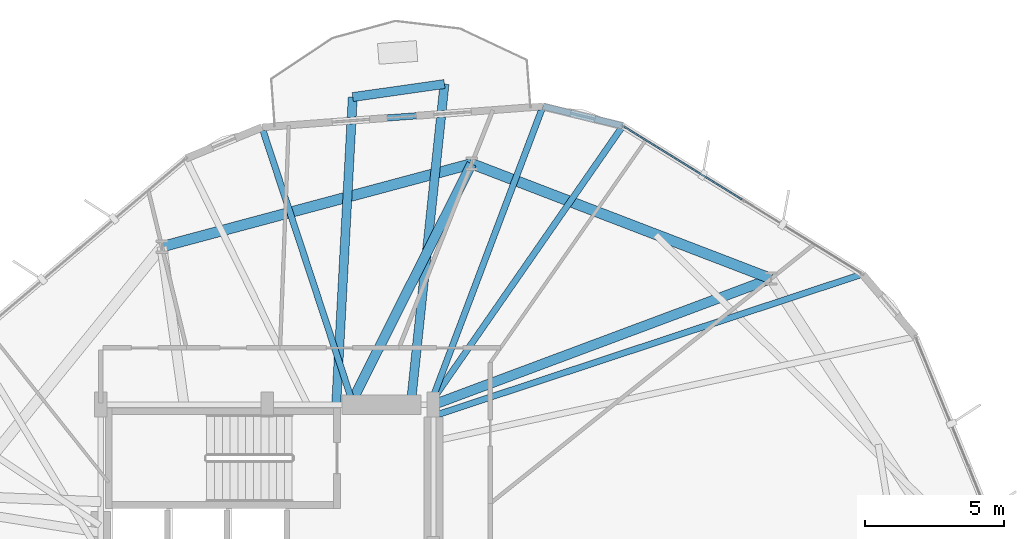
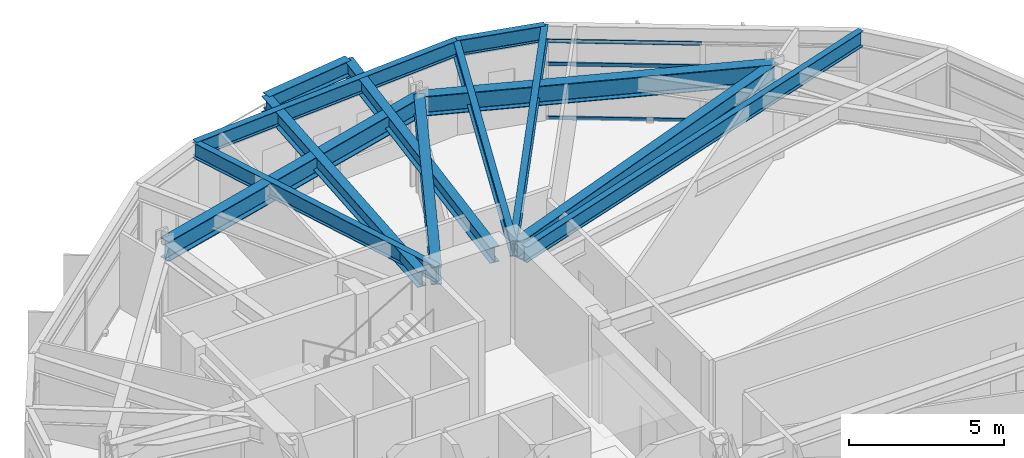
# One storey, part 13 of 22: 13 beams, 3 members, 1 element without a shape of its own.
"""IFC4 building model written with IfcOpenShell, lengths in metres."""

import ifcopenshell
import ifcopenshell.guid

model = None  # the IFC model being written
_history = None  # IfcOwnerHistory: only IFC2X3 demands one
_inside = {}  # id of a spatial element -> (the spatial element, [elements in it])
_under = {}  # id of a project, library or spatial element -> (it, [spatial elements below it])
_declared = {}  # id of a project -> (the project, [libraries it declares])
_typed = {}  # id of a type object -> (the type object, [elements of that type])
_made_of = {}  # id of a material, layer set ... -> (it, [elements and type objects made of it])


def new_model(schema):
    """Start an empty IFC model of exactly this schema.

    Asked for "IFC4X3", IfcOpenShell would pick the latest addendum, in which some entities
    have other attributes; the version numbers below select the first issue.
    IFC2X3 requires an IfcOwnerHistory on every rooted entity: one is made here for all.
    """
    global model, _history
    if schema == "IFC4X3":
        model = ifcopenshell.file(schema_version=(4, 3, 0, 0))
    else:
        model = ifcopenshell.file(schema=schema)
    _inside.clear()
    _under.clear()
    _declared.clear()
    _typed.clear()
    _made_of.clear()
    _history = None
    if model.schema == "IFC2X3":
        org = make("IfcOrganization", Name="unknown")
        user = make(
            "IfcPersonAndOrganization",
            ThePerson=make("IfcPerson", FamilyName="unknown"),
            TheOrganization=org,
        )
        app = make(
            "IfcApplication",
            ApplicationDeveloper=org,
            Version="unknown",
            ApplicationFullName="unknown",
            ApplicationIdentifier="unknown",
        )
        _history = make(
            "IfcOwnerHistory",
            OwningUser=user,
            OwningApplication=app,
            ChangeAction="ADDED",
            CreationDate=0,
        )
    return model


def make(cls, **values):
    """One entity of the class cls with the attributes given. An attribute that is None is left unset."""
    return model.create_entity(
        cls, **{name: value for name, value in values.items() if value is not None}
    )


def rooted(cls, **values):
    """An entity with a GlobalId (a new one), such as an element, a storey or a relation."""
    return make(cls, GlobalId=ifcopenshell.guid.new(), OwnerHistory=_history, **values)


def si_unit(unit_type, name, prefix=None):
    """IfcSIUnit, for example si_unit("LENGTHUNIT", "METRE", prefix="MILLI")."""
    return make("IfcSIUnit", UnitType=unit_type, Prefix=prefix, Name=name)


def assignment(units):
    """IfcUnitAssignment: the units of a project."""
    return None if units is None else make("IfcUnitAssignment", Units=units)


def point(xyz):
    """IfcCartesianPoint."""
    return None if xyz is None else make("IfcCartesianPoint", Coordinates=xyz)


def direction(xyz):
    """IfcDirection."""
    return None if xyz is None else make("IfcDirection", DirectionRatios=xyz)


def frame(location, z_axis=None, x_axis=None):
    """IfcAxis2Placement3D, a coordinate frame: its origin and axes. An axis left out is left unset."""
    return make(
        "IfcAxis2Placement3D",
        Location=point(location),
        Axis=direction(z_axis),
        RefDirection=direction(x_axis),
    )


def frame_2d(location, x_axis=None):
    """IfcAxis2Placement2D, a coordinate frame in the plane: its origin and x axis."""
    return make(
        "IfcAxis2Placement2D", Location=point(location), RefDirection=direction(x_axis)
    )


def origin():
    """The frame at (0, 0, 0) with its axes left unset."""
    return frame((0.0, 0.0, 0.0))


def origin_2d():
    """The frame at (0, 0) in the plane with its x axis left unset."""
    return frame_2d((0.0, 0.0))


def place(relative_to, where):
    """IfcLocalPlacement: puts the frame where relative to a parent placement (None: the world)."""
    return make(
        "IfcLocalPlacement", PlacementRelTo=relative_to, RelativePlacement=where
    )


def context(
    kind, dimensions, precision=None, world=None, true_north=None, identifier=None
):
    """IfcGeometricRepresentationContext, for example the 3D "Model" context."""
    return make(
        "IfcGeometricRepresentationContext",
        ContextIdentifier=identifier,
        ContextType=kind,
        CoordinateSpaceDimension=dimensions,
        Precision=precision,
        WorldCoordinateSystem=world,
        TrueNorth=true_north,
    )


def subcontext(parent, identifier, kind, view, scale=None):
    """IfcGeometricRepresentationSubContext, for example "Body" below "Model"."""
    return make(
        "IfcGeometricRepresentationSubContext",
        ContextIdentifier=identifier,
        ContextType=kind,
        ParentContext=parent,
        TargetScale=scale,
        TargetView=view,
    )


def project(units=None, contexts=None):
    """IfcProject with its units and contexts."""
    return rooted(
        "IfcProject",
        Name="project",
        RepresentationContexts=contexts,
        UnitsInContext=assignment(units),
    )


def spatial(cls, under=None, at=None, **own):
    """A site, building, storey or space (cls), placed at a placement, below another one or the project."""
    s = rooted(cls, ObjectPlacement=at, **own)
    if under is not None:
        _under.setdefault(under.id(), (under, []))[1].append(s)
    return s


def profile(cls, at=None, kind="AREA", **sizes):
    """A parametric profile (cls). Its sizes go by their IFC names, for example OverallWidth=200.0."""
    return make(cls, ProfileType=kind, Position=at, **sizes)


def hollow_rectangle(**sizes):
    """IfcRectangleHollowProfileDef."""
    return profile("IfcRectangleHollowProfileDef", **sizes)


def i_section(**sizes):
    """IfcIShapeProfileDef."""
    return profile("IfcIShapeProfileDef", **sizes)


def extrude(swept, where, along, depth):
    """IfcExtrudedAreaSolid: the profile swept, set in the frame where, extruded along a direction by depth."""
    return make(
        "IfcExtrudedAreaSolid",
        SweptArea=swept,
        Position=where,
        ExtrudedDirection=direction(along),
        Depth=depth,
    )


def shape(context_of_items, identifier, shape_type, items):
    """IfcShapeRepresentation: the items that make up one representation, for example the "Body"."""
    return make(
        "IfcShapeRepresentation",
        ContextOfItems=context_of_items,
        RepresentationIdentifier=identifier,
        RepresentationType=shape_type,
        Items=items,
    )


def material(Name=None, Category=None):
    """IfcMaterial."""
    return make("IfcMaterial", Name=Name, Category=Category)


def layer(
    of_material, thickness, ventilated=None, Name=None, Category=None, Priority=None
):
    """IfcMaterialLayer: one layer of a wall or slab, of a material (None: an air gap)."""
    return make(
        "IfcMaterialLayer",
        Material=of_material,
        LayerThickness=thickness,
        IsVentilated=ventilated,
        Name=Name,
        Category=Category,
        Priority=Priority,
    )


def layer_set(layers, Name=None):
    """IfcMaterialLayerSet."""
    return make("IfcMaterialLayerSet", MaterialLayers=layers, LayerSetName=Name)


def material_profile(
    of_material, cross_section, Name=None, Category=None, Priority=None
):
    """IfcMaterialProfile: a cross section and its material."""
    return make(
        "IfcMaterialProfile",
        Name=Name,
        Material=of_material,
        Profile=cross_section,
        Priority=Priority,
        Category=Category,
    )


def profile_set(profiles, Name=None, composite=None):
    """IfcMaterialProfileSet."""
    return make(
        "IfcMaterialProfileSet",
        Name=Name,
        MaterialProfiles=profiles,
        CompositeProfile=composite,
    )


def made_of(thing, what):
    """Note that an element or type object is made of a material, layer set ...; save() writes the relation."""
    if what is not None:
        _made_of.setdefault(what.id(), (what, []))[1].append(thing)
    return thing


def type_object(cls, material=None, **own):
    """A type object (cls), such as IfcWallType, which elements share."""
    return made_of(rooted(cls, **own), material)


def element(
    cls,
    number,
    at=None,
    inside=None,
    cuts=None,
    type_object=None,
    material=None,
    context=None,
    identifier="Body",
    shape_type=None,
    held_by="IfcProductDefinitionShape",
    body=None,
    shapes=None,
    **own,
):
    """One element of the class cls, such as IfcWall. Its Tag is "e" and its number.

    at: its placement. inside: the storey or other place that contains it. cuts: it is an
    opening in that element (IfcRelVoidsElement). A single representation is given by context,
    identifier, shape_type and body (its items); several are given by shapes. held_by: the class
    of the entity that holds the representations. save() writes the other relations.
    """
    e = rooted(cls, Tag="e%d" % number, ObjectPlacement=at, **own)
    if body is not None:
        shapes = [shape(context, identifier, shape_type, body)]
    if shapes is not None:
        e.Representation = make(held_by, Representations=shapes)
    if inside is not None:
        _inside.setdefault(inside.id(), (inside, []))[1].append(e)
    if cuts is not None:
        rooted(
            "IfcRelVoidsElement", RelatingBuildingElement=cuts, RelatedOpeningElement=e
        )
    if type_object is not None:
        _typed.setdefault(type_object.id(), (type_object, []))[1].append(e)
    return made_of(e, material)


def aggregate(whole, parts):
    """IfcRelAggregates: a whole, such as a stair, and the parts it consists of."""
    return rooted("IfcRelAggregates", RelatingObject=whole, RelatedObjects=parts)


def save(model, path):
    """Write the relations noted so far, then the file.

    IfcRelAggregates (storeys below a building ...), IfcRelContainedInSpatialStructure (elements
    in a storey), IfcRelDefinesByType, IfcRelAssociatesMaterial and IfcRelDeclares: one each for
    every whole, place, type object, material and project.
    """
    for whole, parts in _under.values():
        aggregate(whole, parts)
    for where, things in _inside.values():
        rooted(
            "IfcRelContainedInSpatialStructure",
            RelatedElements=things,
            RelatingStructure=where,
        )
    for kind, things in _typed.values():
        rooted("IfcRelDefinesByType", RelatedObjects=things, RelatingType=kind)
    for what, things in _made_of.values():
        rooted("IfcRelAssociatesMaterial", RelatedObjects=things, RelatingMaterial=what)
    for by, libraries in _declared.values():
        rooted("IfcRelDeclares", RelatingContext=by, RelatedDefinitions=libraries)
    model.write(path)


model = new_model("IFC4")

# Units and contexts
model_context = context("Model", 3, precision=1e-05, world=origin(), true_north=direction((0.0, 1.0)))
body_context = subcontext(model_context, "Body", "Model", "MODEL_VIEW")
ifc_project = project(units=[si_unit("LENGTHUNIT", "METRE"), si_unit("AREAUNIT", "SQUARE_METRE"), si_unit("VOLUMEUNIT", "CUBIC_METRE"), si_unit("PLANEANGLEUNIT", "RADIAN"), si_unit("MASSUNIT", "GRAM", prefix="KILO")], contexts=[model_context])

# Site, building, storey
site_placement = place(None, origin())
site = spatial("IfcSite", under=ifc_project, at=site_placement, CompositionType="ELEMENT")
building_placement = place(site_placement, origin())
building = spatial("IfcBuilding", under=site, at=building_placement, Name="Soratama Intermodal Tower", CompositionType="ELEMENT")
storey_placement = place(building_placement, frame((0.0, 0.0, 46.60009765625)))
storey = spatial("IfcBuildingStorey", under=building, at=storey_placement, Name="L10", CompositionType="ELEMENT", Elevation=46.60009765625)

# Beams
ifc_material_1 = material(Name="Structural steel ASTM A992 Grade 50", Category="steel")
ifc_material_profile_1 = material_profile(ifc_material_1, i_section(OverallWidth=0.324951171875, OverallDepth=0.615966796875, WebThickness=0.013916015625, FlangeThickness=0.021484375, FilletRadius=0.013916015625, at=origin_2d()), Name="W24X117")
ifc_profile_set_1 = profile_set([ifc_material_profile_1], Name="Structural steel ASTM A992 Grade 50")
beam_type_1 = type_object("IfcBeamType", Name="BM-CANT-W24X117", PredefinedType="BEAM", material=ifc_profile_set_1)
beam_1_placement = place(storey_placement, frame((44.998046875, 46.570068359375, 3.391845703125), z_axis=(-0.990064576581, -0.140613421124, 0.0), x_axis=(0.140613421124, -0.990064576581, 0.0)))
element("IfcBeam", 1, at=beam_1_placement, inside=storey, type_object=beam_type_1, Name="BM-L10-CBHDR-2", PredefinedType="BEAM", context=body_context, shape_type="SweptSolid", body=[
    extrude(i_section(OverallWidth=0.324951171875, OverallDepth=0.615966796875, WebThickness=0.013916015625, FlangeThickness=0.021484375, FilletRadius=0.013916015625, at=origin_2d()), origin(), (0.0, 0.0, 1.0), 3.34228515625),
])
beam_2_placement = place(storey_placement, frame((43.787109375, 35.0400390625, 3.391845703125), z_axis=(0.104450195605, 0.994530118517, 0.0), x_axis=(-0.994530118517, 0.104450195605, 0.0)))
element("IfcBeam", 2, at=beam_2_placement, inside=storey, type_object=beam_type_1, Name="BM-L10-CANT-2-1", PredefinedType="BEAM", context=body_context, shape_type="SweptSolid", body=[
    extrude(i_section(OverallWidth=0.324951171875, OverallDepth=0.615966796875, WebThickness=0.013916015625, FlangeThickness=0.021484375, FilletRadius=0.013916015625, at=origin_2d()), origin(), (0.0, 0.0, 1.0), 11.593505859375),
])
beam_3_placement = place(storey_placement, frame((41.093017578125, 35.0400390625, 3.391845703125), z_axis=(0.053804780083, 0.998551473706, 0.0), x_axis=(-0.998551473706, 0.053804780083, 0.0)))
element("IfcBeam", 3, at=beam_3_placement, inside=storey, type_object=beam_type_1, Name="BM-L10-CANT-2-2", PredefinedType="BEAM", context=body_context, shape_type="SweptSolid", body=[
    extrude(i_section(OverallWidth=0.324951171875, OverallDepth=0.615966796875, WebThickness=0.013916015625, FlangeThickness=0.021484375, FilletRadius=0.013916015625, at=origin_2d()), origin(), (0.0, 0.0, 1.0), 11.076171875),
])
ifc_material_2 = material(Name="Structural steel ASTM A992 Grade 50", Category="steel")
ifc_material_profile_2 = material_profile(ifc_material_2, i_section(OverallWidth=0.35498046875, OverallDepth=0.695068359375, WebThickness=0.015380859375, FlangeThickness=0.02490234375, FilletRadius=0.01611328125, at=origin_2d()), Name="W27X146")
ifc_profile_set_2 = profile_set([ifc_material_profile_2], Name="Structural steel ASTM A992 Grade 50")
beam_type_2 = type_object("IfcBeamType", Name="BM-RING-W27X146", PredefinedType="BEAM", material=ifc_profile_set_2)
beam_4_placement = place(storey_placement, frame((44.60009765625, 35.0, 3.352294921875), z_axis=(0.936827486358, 0.349791739189, 0.0), x_axis=(-0.349791739189, 0.936827486358, 0.0)))
element("IfcBeam", 4, at=beam_4_placement, inside=storey, type_object=beam_type_2, Name="BM-L10-RAD-02", PredefinedType="BEAM", context=body_context, shape_type="SweptSolid", body=[
    extrude(i_section(OverallWidth=0.35498046875, OverallDepth=0.695068359375, WebThickness=0.015380859375, FlangeThickness=0.02490234375, FilletRadius=0.01611328125, at=origin_2d()), origin(), (0.0, 0.0, 1.0), 13.002197265625),
])
beam_5_placement = place(storey_placement, frame((41.60009765625, 35.0, 3.352294921875), z_axis=(0.449910017166, 0.893073891934, 0.0), x_axis=(-0.893073891934, 0.449910017166, 0.0)))
element("IfcBeam", 5, at=beam_5_placement, inside=storey, type_object=beam_type_2, Name="BM-L10-RAD-03", PredefinedType="BEAM", context=body_context, shape_type="SweptSolid", body=[
    extrude(i_section(OverallWidth=0.35498046875, OverallDepth=0.695068359375, WebThickness=0.015380859375, FlangeThickness=0.02490234375, FilletRadius=0.01611328125, at=origin_2d()), origin(), (0.0, 0.0, 1.0), 9.735107421875),
])
ifc_material_3 = material(Name="Structural steel ASTM A992 Grade 50", Category="steel")
ifc_material_profile_3 = material_profile(ifc_material_3, i_section(OverallWidth=0.382080078125, OverallDepth=0.779052734375, WebThickness=0.01806640625, FlangeThickness=0.030029296875, FilletRadius=0.01806640625, at=origin_2d()), Name="W30X191")
ifc_profile_set_3 = profile_set([ifc_material_profile_3], Name="Structural steel ASTM A992 Grade 50")
beam_type_3 = type_object("IfcBeamType", Name="BM-RING-W30X191", PredefinedType="BEAM", material=ifc_profile_set_3)
beam_6_placement = place(storey_placement, frame((56.781005859375, 39.548095703125, 3.310302734375), z_axis=(-0.933584159632, 0.358358224246, 0.0), x_axis=(-0.358358224246, -0.933584159632, 0.0)))
element("IfcBeam", 6, at=beam_6_placement, inside=storey, type_object=beam_type_3, Name="BM-L10-RING-02", PredefinedType="BEAM", context=body_context, shape_type="SweptSolid", body=[
    extrude(i_section(OverallWidth=0.382080078125, OverallDepth=0.779052734375, WebThickness=0.01806640625, FlangeThickness=0.030029296875, FilletRadius=0.01806640625, at=origin_2d()), origin(), (0.0, 0.0, 1.0), 11.5693359375),
])
beam_7_placement = place(storey_placement, frame((45.97998046875, 43.694091796875, 3.310302734375), z_axis=(-0.965935902196, -0.258781438376, 0.0), x_axis=(0.258781438376, -0.965935902196, 0.0)))
element("IfcBeam", 7, at=beam_7_placement, inside=storey, type_object=beam_type_3, Name="BM-L10-RING-03", PredefinedType="BEAM", context=body_context, shape_type="SweptSolid", body=[
    extrude(i_section(OverallWidth=0.382080078125, OverallDepth=0.779052734375, WebThickness=0.01806640625, FlangeThickness=0.030029296875, FilletRadius=0.01806640625, at=origin_2d()), origin(), (0.0, 0.0, 1.0), 11.570068359375),
])
ifc_material_4 = material(Name="Structural steel ASTM A992 Grade 50", Category="steel")
ifc_material_profile_4 = material_profile(ifc_material_4, i_section(OverallWidth=0.22900390625, OverallDepth=0.612060546875, WebThickness=0.011962890625, FlangeThickness=0.01953125, FilletRadius=0.012939453125, at=origin_2d()), Name="W24X84")
ifc_profile_set_4 = profile_set([ifc_material_profile_4], Name="Structural steel ASTM A992 Grade 50")
beam_type_4 = type_object("IfcBeamType", Name="BM-SPN-W24X84", PredefinedType="SPANDREL", material=ifc_profile_set_4)
beam_8_placement = place(storey_placement, frame((51.431884765625, 45.05908203125, 3.393798828125), z_axis=(-0.971369050181, 0.237575605547, 0.0), x_axis=(-0.237575605547, -0.971369050181, 0.0)))
element("IfcBeam", 8, at=beam_8_placement, inside=storey, type_object=beam_type_4, Name="BS-L10-CRN02", PredefinedType="SPANDREL", context=body_context, shape_type="SweptSolid", body=[
    extrude(i_section(OverallWidth=0.22900390625, OverallDepth=0.612060546875, WebThickness=0.011962890625, FlangeThickness=0.01953125, FilletRadius=0.012939453125, at=origin_2d()), origin(), (0.0, 0.0, 1.0), 2.966796875),
])
beam_9_placement = place(storey_placement, frame((48.550048828125, 45.763916015625, 3.393798828125), z_axis=(-0.997238712388, -0.074262712813, 0.0), x_axis=(0.074262712813, -0.997238712388, 0.0)))
element("IfcBeam", 9, at=beam_9_placement, inside=storey, type_object=beam_type_4, Name="BS-L10-F03", PredefinedType="SPANDREL", context=body_context, shape_type="SweptSolid", body=[
    extrude(i_section(OverallWidth=0.22900390625, OverallDepth=0.612060546875, WebThickness=0.011962890625, FlangeThickness=0.01953125, FilletRadius=0.012939453125, at=origin_2d()), origin(), (0.0, 0.0, 1.0), 10.1650390625),
])
ifc_material_5 = material(Name="Structural steel ASTM A992 Grade 50", Category="steel")
ifc_material_profile_5 = material_profile(ifc_material_5, i_section(OverallWidth=0.22900390625, OverallDepth=0.612060546875, WebThickness=0.011962890625, FlangeThickness=0.01953125, FilletRadius=0.012939453125, at=origin_2d()), Name="W24X84")
ifc_profile_set_5 = profile_set([ifc_material_profile_5], Name="Structural steel ASTM A992 Grade 50")
beam_type_5 = type_object("IfcBeamType", Name="BM-TIE-W24X84", PredefinedType="BEAM", material=ifc_profile_set_5)
beam_10_placement = place(storey_placement, frame((44.637939453125, 34.60595703125, 3.393798828125), z_axis=(0.949425338533, 0.313992876594, 0.0), x_axis=(-0.313992876594, 0.949425338533, 0.0)))
element("IfcBeam", 10, at=beam_10_placement, inside=storey, type_object=beam_type_5, Name="BM-L10-TIE0-02", PredefinedType="BEAM", context=body_context, shape_type="SweptSolid", body=[
    extrude(i_section(OverallWidth=0.22900390625, OverallDepth=0.612060546875, WebThickness=0.011962890625, FlangeThickness=0.01953125, FilletRadius=0.012939453125, at=origin_2d()), origin(), (0.0, 0.0, 1.0), 16.261474609375),
])
beam_11_placement = place(storey_placement, frame((44.468994140625, 35.032958984375, 3.393798828125), z_axis=(0.570412675965, 0.82135825259, 0.0), x_axis=(-0.82135825259, 0.570412675965, 0.0)))
element("IfcBeam", 11, at=beam_11_placement, inside=storey, type_object=beam_type_5, Name="BM-L10-TIE1-02", PredefinedType="BEAM", context=body_context, shape_type="SweptSolid", body=[
    extrude(i_section(OverallWidth=0.22900390625, OverallDepth=0.612060546875, WebThickness=0.011962890625, FlangeThickness=0.01953125, FilletRadius=0.012939453125, at=origin_2d()), origin(), (0.0, 0.0, 1.0), 12.206787109375),
])
beam_12_placement = place(storey_placement, frame((44.49609375, 35.037109375, 3.393798828125), z_axis=(0.353523117518, 0.935425788281, 0.0), x_axis=(-0.935425788281, 0.353523117518, 0.0)))
element("IfcBeam", 12, at=beam_12_placement, inside=storey, type_object=beam_type_5, Name="BM-L10-TIE0-03", PredefinedType="BEAM", context=body_context, shape_type="SweptSolid", body=[
    extrude(i_section(OverallWidth=0.22900390625, OverallDepth=0.612060546875, WebThickness=0.011962890625, FlangeThickness=0.01953125, FilletRadius=0.012939453125, at=origin_2d()), origin(), (0.0, 0.0, 1.0), 11.46728515625),
])
beam_13_placement = place(storey_placement, frame((41.695068359375, 35.0380859375, 3.393798828125), z_axis=(-0.312653142604, 0.949867365699, 0.0), x_axis=(-0.949867365699, -0.312653142604, 0.0)))
element("IfcBeam", 13, at=beam_13_placement, inside=storey, type_object=beam_type_5, Name="BM-L10-TIE1-03", PredefinedType="BEAM", context=body_context, shape_type="SweptSolid", body=[
    extrude(i_section(OverallWidth=0.22900390625, OverallDepth=0.612060546875, WebThickness=0.011962890625, FlangeThickness=0.01953125, FilletRadius=0.012939453125, at=origin_2d()), origin(), (0.0, 0.0, 1.0), 10.497314453125),
])

# Curtain wall, members
ifc_material_6 = material(Name="Double-glazed aluminium curtain wall", Category="aluminium")
ifc_layer = layer(ifc_material_6, 0.159912109375)
ifc_layer_set = layer_set([ifc_layer], Name="Double-glazed aluminium curtain wall")
curtain_wall_type = type_object("IfcCurtainWallType", Name="CW-SYS-2", PredefinedType="NOTDEFINED", material=ifc_layer_set)
curtain_wall_placement = place(storey_placement, origin())
curtain_wall = element("IfcCurtainWall", 14, at=curtain_wall_placement, inside=storey, type_object=curtain_wall_type, Name="L10 Faceted Curtain Wall F02", PredefinedType="NOTDEFINED")
ifc_material_7 = material(Name="Anodised aluminium AA 6063-T6", Category="aluminium")
ifc_material_profile_6 = material_profile(ifc_material_7, hollow_rectangle(XDim=0.06494140625, YDim=0.14990234375, WallThickness=0.0048828125, InnerFilletRadius=0.0048828125, OuterFilletRadius=0.010009765625, at=origin_2d()), Name="CWT150X65X5")
ifc_profile_set_6 = profile_set([ifc_material_profile_6], Name="Anodised aluminium AA 6063-T6")
member_type = type_object("IfcMemberType", Name="TT-CWT-1", PredefinedType="USERDEFINED", material=ifc_profile_set_6)
member_1_placement = place(storey_placement, frame((55.728759765625, 42.401123046875, 0.02978515625), z_axis=(-0.85045058926, 0.52605493556, 0.0), x_axis=(-0.52605493556, -0.85045058926, 0.0)))
member_1 = element("IfcMember", 15, at=member_1_placement, type_object=member_type, Name="CW-2 transom 2.1", ObjectType="TRANSOM", PredefinedType="USERDEFINED", context=body_context, shape_type="SweptSolid", body=[
    extrude(hollow_rectangle(XDim=0.06494140625, YDim=0.14990234375, WallThickness=0.0048828125, InnerFilletRadius=0.0048828125, OuterFilletRadius=0.010009765625, at=origin_2d()), origin(), (0.0, 0.0, 1.0), 4.99267578125),
])
member_2_placement = place(storey_placement, frame((55.728759765625, 42.401123046875, 2.14990234375), z_axis=(-0.85045058926, 0.52605493556, 0.0), x_axis=(-0.52605493556, -0.85045058926, 0.0)))
member_2 = element("IfcMember", 16, at=member_2_placement, type_object=member_type, Name="CW-2 transom 2.2", ObjectType="TRANSOM", PredefinedType="USERDEFINED", context=body_context, shape_type="SweptSolid", body=[
    extrude(hollow_rectangle(XDim=0.06494140625, YDim=0.14990234375, WallThickness=0.0048828125, InnerFilletRadius=0.0048828125, OuterFilletRadius=0.010009765625, at=origin_2d()), origin(), (0.0, 0.0, 1.0), 4.99267578125),
])
member_3_placement = place(storey_placement, frame((55.728759765625, 42.401123046875, 3.048828125), z_axis=(-0.85045058926, 0.52605493556, 0.0), x_axis=(-0.52605493556, -0.85045058926, 0.0)))
member_3 = element("IfcMember", 17, at=member_3_placement, type_object=member_type, Name="CW-2 transom 2.3", ObjectType="TRANSOM", PredefinedType="USERDEFINED", context=body_context, shape_type="SweptSolid", body=[
    extrude(hollow_rectangle(XDim=0.06494140625, YDim=0.14990234375, WallThickness=0.0048828125, InnerFilletRadius=0.0048828125, OuterFilletRadius=0.010009765625, at=origin_2d()), origin(), (0.0, 0.0, 1.0), 4.99267578125),
])
aggregate(curtain_wall, [member_1, member_2, member_3])

save(model, "model.ifc")
